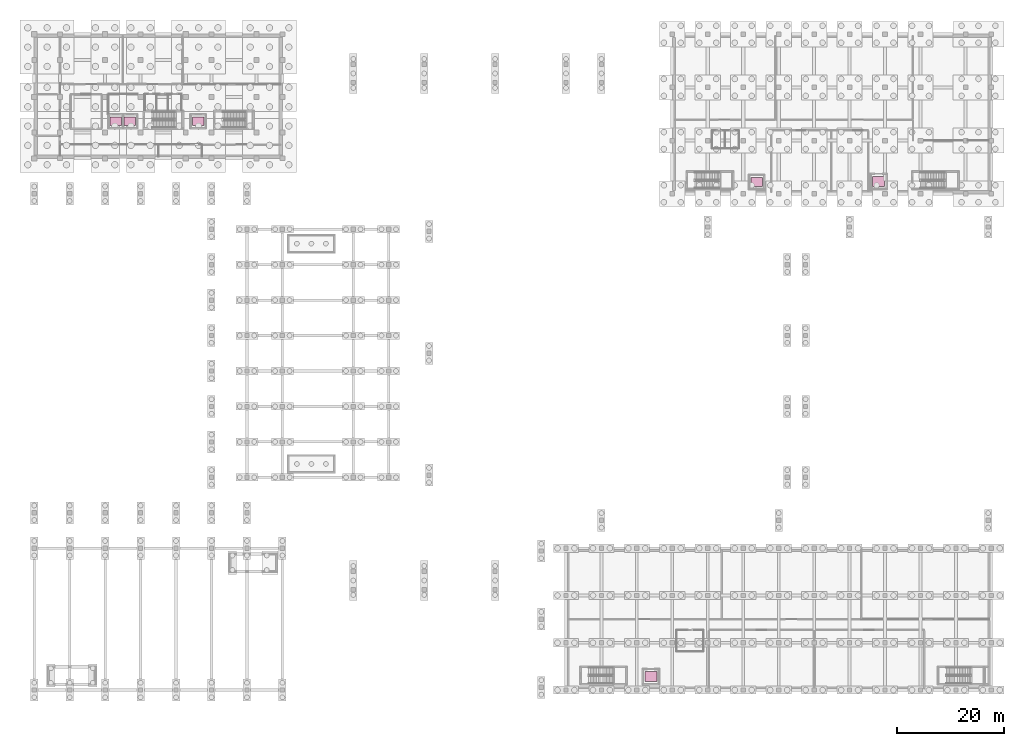
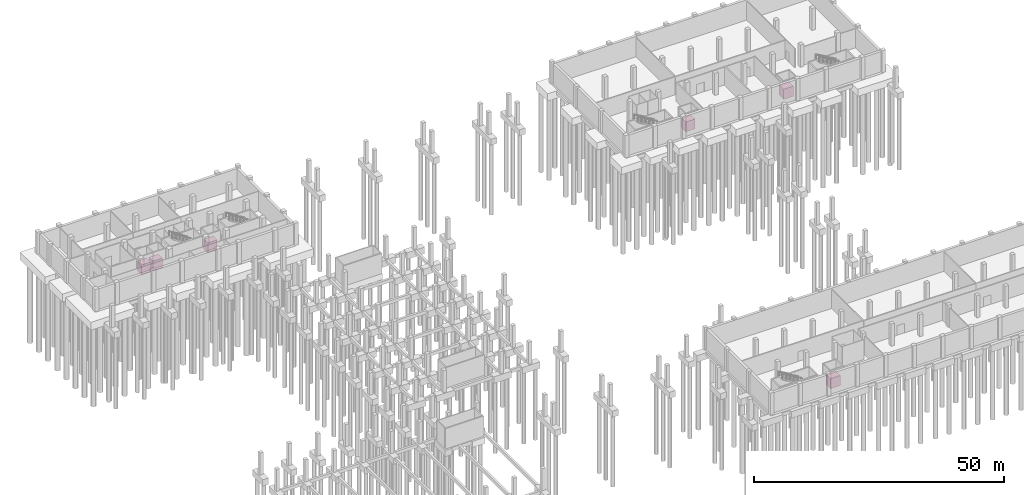
# One storey, part 23 of 23: 6 transport elements.
"""IFC4 building model written with IfcOpenShell, lengths in metres."""

import ifcopenshell
import ifcopenshell.guid

model = None  # the IFC model being written
_history = None  # IfcOwnerHistory: only IFC2X3 demands one
_inside = {}  # id of a spatial element -> (the spatial element, [elements in it])
_under = {}  # id of a project, library or spatial element -> (it, [spatial elements below it])
_declared = {}  # id of a project -> (the project, [libraries it declares])
_typed = {}  # id of a type object -> (the type object, [elements of that type])
_made_of = {}  # id of a material, layer set ... -> (it, [elements and type objects made of it])


def new_model(schema):
    """Start an empty IFC model of exactly this schema.

    Asked for "IFC4X3", IfcOpenShell would pick the latest addendum, in which some entities
    have other attributes; the version numbers below select the first issue.
    IFC2X3 requires an IfcOwnerHistory on every rooted entity: one is made here for all.
    """
    global model, _history
    if schema == "IFC4X3":
        model = ifcopenshell.file(schema_version=(4, 3, 0, 0))
    else:
        model = ifcopenshell.file(schema=schema)
    _inside.clear()
    _under.clear()
    _declared.clear()
    _typed.clear()
    _made_of.clear()
    _history = None
    if model.schema == "IFC2X3":
        org = make("IfcOrganization", Name="unknown")
        user = make(
            "IfcPersonAndOrganization",
            ThePerson=make("IfcPerson", FamilyName="unknown"),
            TheOrganization=org,
        )
        app = make(
            "IfcApplication",
            ApplicationDeveloper=org,
            Version="unknown",
            ApplicationFullName="unknown",
            ApplicationIdentifier="unknown",
        )
        _history = make(
            "IfcOwnerHistory",
            OwningUser=user,
            OwningApplication=app,
            ChangeAction="ADDED",
            CreationDate=0,
        )
    return model


def make(cls, **values):
    """One entity of the class cls with the attributes given. An attribute that is None is left unset."""
    return model.create_entity(
        cls, **{name: value for name, value in values.items() if value is not None}
    )


def rooted(cls, **values):
    """An entity with a GlobalId (a new one), such as an element, a storey or a relation."""
    return make(cls, GlobalId=ifcopenshell.guid.new(), OwnerHistory=_history, **values)


def si_unit(unit_type, name, prefix=None):
    """IfcSIUnit, for example si_unit("LENGTHUNIT", "METRE", prefix="MILLI")."""
    return make("IfcSIUnit", UnitType=unit_type, Prefix=prefix, Name=name)


def assignment(units):
    """IfcUnitAssignment: the units of a project."""
    return None if units is None else make("IfcUnitAssignment", Units=units)


def point(xyz):
    """IfcCartesianPoint."""
    return None if xyz is None else make("IfcCartesianPoint", Coordinates=xyz)


def direction(xyz):
    """IfcDirection."""
    return None if xyz is None else make("IfcDirection", DirectionRatios=xyz)


def frame(location, z_axis=None, x_axis=None):
    """IfcAxis2Placement3D, a coordinate frame: its origin and axes. An axis left out is left unset."""
    return make(
        "IfcAxis2Placement3D",
        Location=point(location),
        Axis=direction(z_axis),
        RefDirection=direction(x_axis),
    )


def frame_2d(location, x_axis=None):
    """IfcAxis2Placement2D, a coordinate frame in the plane: its origin and x axis."""
    return make(
        "IfcAxis2Placement2D", Location=point(location), RefDirection=direction(x_axis)
    )


def origin():
    """The frame at (0, 0, 0) with its axes left unset."""
    return frame((0.0, 0.0, 0.0))


def origin_2d():
    """The frame at (0, 0) in the plane with its x axis left unset."""
    return frame_2d((0.0, 0.0))


def place(relative_to, where):
    """IfcLocalPlacement: puts the frame where relative to a parent placement (None: the world)."""
    return make(
        "IfcLocalPlacement", PlacementRelTo=relative_to, RelativePlacement=where
    )


def context(
    kind, dimensions, precision=None, world=None, true_north=None, identifier=None
):
    """IfcGeometricRepresentationContext, for example the 3D "Model" context."""
    return make(
        "IfcGeometricRepresentationContext",
        ContextIdentifier=identifier,
        ContextType=kind,
        CoordinateSpaceDimension=dimensions,
        Precision=precision,
        WorldCoordinateSystem=world,
        TrueNorth=true_north,
    )


def subcontext(parent, identifier, kind, view, scale=None):
    """IfcGeometricRepresentationSubContext, for example "Body" below "Model"."""
    return make(
        "IfcGeometricRepresentationSubContext",
        ContextIdentifier=identifier,
        ContextType=kind,
        ParentContext=parent,
        TargetScale=scale,
        TargetView=view,
    )


def project(units=None, contexts=None):
    """IfcProject with its units and contexts."""
    return rooted(
        "IfcProject",
        Name="project",
        RepresentationContexts=contexts,
        UnitsInContext=assignment(units),
    )


def spatial(cls, under=None, at=None, **own):
    """A site, building, storey or space (cls), placed at a placement, below another one or the project."""
    s = rooted(cls, ObjectPlacement=at, **own)
    if under is not None:
        _under.setdefault(under.id(), (under, []))[1].append(s)
    return s


def profile(cls, at=None, kind="AREA", **sizes):
    """A parametric profile (cls). Its sizes go by their IFC names, for example OverallWidth=200.0."""
    return make(cls, ProfileType=kind, Position=at, **sizes)


def rectangle(**sizes):
    """IfcRectangleProfileDef."""
    return profile("IfcRectangleProfileDef", **sizes)


def extrude(swept, where, along, depth):
    """IfcExtrudedAreaSolid: the profile swept, set in the frame where, extruded along a direction by depth."""
    return make(
        "IfcExtrudedAreaSolid",
        SweptArea=swept,
        Position=where,
        ExtrudedDirection=direction(along),
        Depth=depth,
    )


def shape(context_of_items, identifier, shape_type, items):
    """IfcShapeRepresentation: the items that make up one representation, for example the "Body"."""
    return make(
        "IfcShapeRepresentation",
        ContextOfItems=context_of_items,
        RepresentationIdentifier=identifier,
        RepresentationType=shape_type,
        Items=items,
    )


def material(Name=None, Category=None):
    """IfcMaterial."""
    return make("IfcMaterial", Name=Name, Category=Category)


def made_of(thing, what):
    """Note that an element or type object is made of a material, layer set ...; save() writes the relation."""
    if what is not None:
        _made_of.setdefault(what.id(), (what, []))[1].append(thing)
    return thing


def type_object(cls, material=None, **own):
    """A type object (cls), such as IfcWallType, which elements share."""
    return made_of(rooted(cls, **own), material)


def element(
    cls,
    number,
    at=None,
    inside=None,
    cuts=None,
    type_object=None,
    material=None,
    context=None,
    identifier="Body",
    shape_type=None,
    held_by="IfcProductDefinitionShape",
    body=None,
    shapes=None,
    **own,
):
    """One element of the class cls, such as IfcWall. Its Tag is "e" and its number.

    at: its placement. inside: the storey or other place that contains it. cuts: it is an
    opening in that element (IfcRelVoidsElement). A single representation is given by context,
    identifier, shape_type and body (its items); several are given by shapes. held_by: the class
    of the entity that holds the representations. save() writes the other relations.
    """
    e = rooted(cls, Tag="e%d" % number, ObjectPlacement=at, **own)
    if body is not None:
        shapes = [shape(context, identifier, shape_type, body)]
    if shapes is not None:
        e.Representation = make(held_by, Representations=shapes)
    if inside is not None:
        _inside.setdefault(inside.id(), (inside, []))[1].append(e)
    if cuts is not None:
        rooted(
            "IfcRelVoidsElement", RelatingBuildingElement=cuts, RelatedOpeningElement=e
        )
    if type_object is not None:
        _typed.setdefault(type_object.id(), (type_object, []))[1].append(e)
    return made_of(e, material)


def aggregate(whole, parts):
    """IfcRelAggregates: a whole, such as a stair, and the parts it consists of."""
    return rooted("IfcRelAggregates", RelatingObject=whole, RelatedObjects=parts)


def save(model, path):
    """Write the relations noted so far, then the file.

    IfcRelAggregates (storeys below a building ...), IfcRelContainedInSpatialStructure (elements
    in a storey), IfcRelDefinesByType, IfcRelAssociatesMaterial and IfcRelDeclares: one each for
    every whole, place, type object, material and project.
    """
    for whole, parts in _under.values():
        aggregate(whole, parts)
    for where, things in _inside.values():
        rooted(
            "IfcRelContainedInSpatialStructure",
            RelatedElements=things,
            RelatingStructure=where,
        )
    for kind, things in _typed.values():
        rooted("IfcRelDefinesByType", RelatedObjects=things, RelatingType=kind)
    for what, things in _made_of.values():
        rooted("IfcRelAssociatesMaterial", RelatedObjects=things, RelatingMaterial=what)
    for by, libraries in _declared.values():
        rooted("IfcRelDeclares", RelatingContext=by, RelatedDefinitions=libraries)
    model.write(path)


model = new_model("IFC4")

# Units and contexts
model_context = context("Model", 3, precision=1e-05, world=origin(), true_north=direction((0.0, 1.0)))
body_context = subcontext(model_context, "Body", "Model", "MODEL_VIEW")
ifc_project = project(units=[si_unit("LENGTHUNIT", "METRE"), si_unit("AREAUNIT", "SQUARE_METRE"), si_unit("VOLUMEUNIT", "CUBIC_METRE"), si_unit("PLANEANGLEUNIT", "RADIAN"), si_unit("MASSUNIT", "GRAM", prefix="KILO")], contexts=[model_context])

# Site, building, storey
site_placement = place(None, origin())
site = spatial("IfcSite", under=ifc_project, at=site_placement, CompositionType="ELEMENT")
building_placement = place(site_placement, origin())
building = spatial("IfcBuilding", under=site, at=building_placement, Name="Dornvale Research Institute", CompositionType="ELEMENT")
storey_placement = place(building_placement, frame((0.0, 0.0, -5.39990234375)))
storey = spatial("IfcBuildingStorey", under=building, at=storey_placement, Name="B1", CompositionType="ELEMENT", Elevation=-5.39990234375)

# Transport elements
ifc_material_1 = material(Name="Stainless Steel and Laminated Safety Glass Elevator Cab", Category="steel")
transport_element_type_1 = type_object("IfcTransportElementType", Name="Lift_FSAE_2000kg", PredefinedType="ELEVATOR", material=ifc_material_1)
for number, where, z_axis, x_axis, name in (
    (1, (15.175048828125, 105.89990234375, 0.0), (0.0, 0.0, 1.0), (1.0, 0.0, 0.0), "Fire Service Access Elevator FS1"),
    (2, (17.824951171875, 105.89990234375, 0.0), (0.0, 0.0, 1.0), (1.0, 0.0, 0.0), "Fire Service Access Elevator FS2"),
):
    element("IfcTransportElement", number, at=place(storey_placement, frame(where, z_axis=z_axis, x_axis=x_axis)), inside=storey, type_object=transport_element_type_1, Name=name, PredefinedType="ELEVATOR", context=body_context, shape_type="SweptSolid", body=[
        extrude(rectangle(XDim=2.14990234375, YDim=1.64990234375, at=origin_2d()), origin(), (0.0, 0.0, 1.0), 2.39990234375),
    ])
ifc_material_2 = material(Name="Stainless Steel and Laminated Safety Glass Elevator Cab", Category="steel")
transport_element_type_2 = type_object("IfcTransportElementType", Name="Lift_Passenger_1800kg", PredefinedType="ELEVATOR", material=ifc_material_2)
for number, where, z_axis, x_axis, name in (
    (3, (30.5, 105.89990234375, 0.0), (0.0, 0.0, 1.0), (1.0, 0.0, 0.0), "Passenger Elevator LP1"),
    (4, (134.5, 94.60009765625, 0.0), (0.0, 0.0, 1.0), (1.0, 0.0, 0.0), "Passenger Elevator LP2"),
):
    element("IfcTransportElement", number, at=place(storey_placement, frame(where, z_axis=z_axis, x_axis=x_axis)), inside=storey, type_object=transport_element_type_2, Name=name, PredefinedType="ELEVATOR", context=body_context, shape_type="SweptSolid", body=[
        extrude(rectangle(XDim=2.14990234375, YDim=1.64990234375, at=origin_2d()), origin(), (0.0, 0.0, 1.0), 2.39990234375),
    ])
ifc_material_3 = material(Name="Stainless Steel and Laminated Safety Glass Elevator Cab", Category="steel")
transport_element_type_3 = type_object("IfcTransportElementType", Name="Lift_Service_2500kg", PredefinedType="ELEVATOR", material=ifc_material_3)
for number, where, z_axis, x_axis, name in (
    (5, (157.199951171875, 94.699951171875, 0.0), (0.0, 0.0, 1.0), (1.0, 0.0, 0.0), "Laboratory Service Elevator LS1"),
    (6, (114.800048828125, 2.5, 0.0), (0.0, 0.0, 1.0), (1.0, 0.0, 0.0), "Cleanroom Freight Elevator LC1"),
):
    element("IfcTransportElement", number, at=place(storey_placement, frame(where, z_axis=z_axis, x_axis=x_axis)), inside=storey, type_object=transport_element_type_3, Name=name, PredefinedType="ELEVATOR", context=body_context, shape_type="SweptSolid", body=[
        extrude(rectangle(XDim=2.25, YDim=1.85009765625, at=origin_2d()), origin(), (0.0, 0.0, 1.0), 2.5),
    ])

save(model, "model.ifc")
